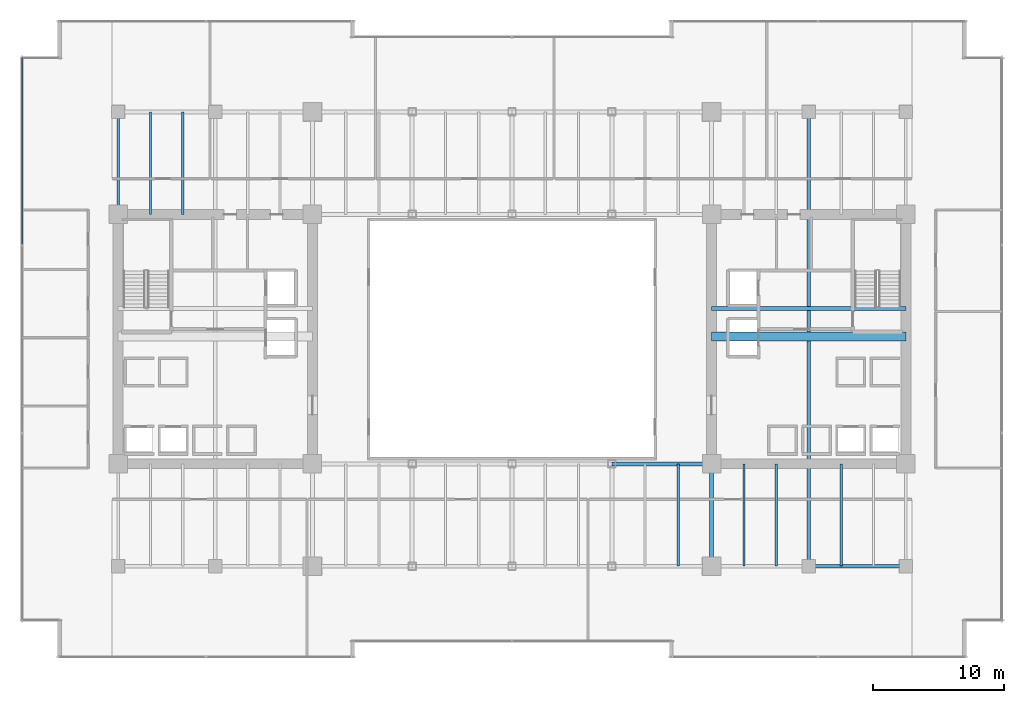
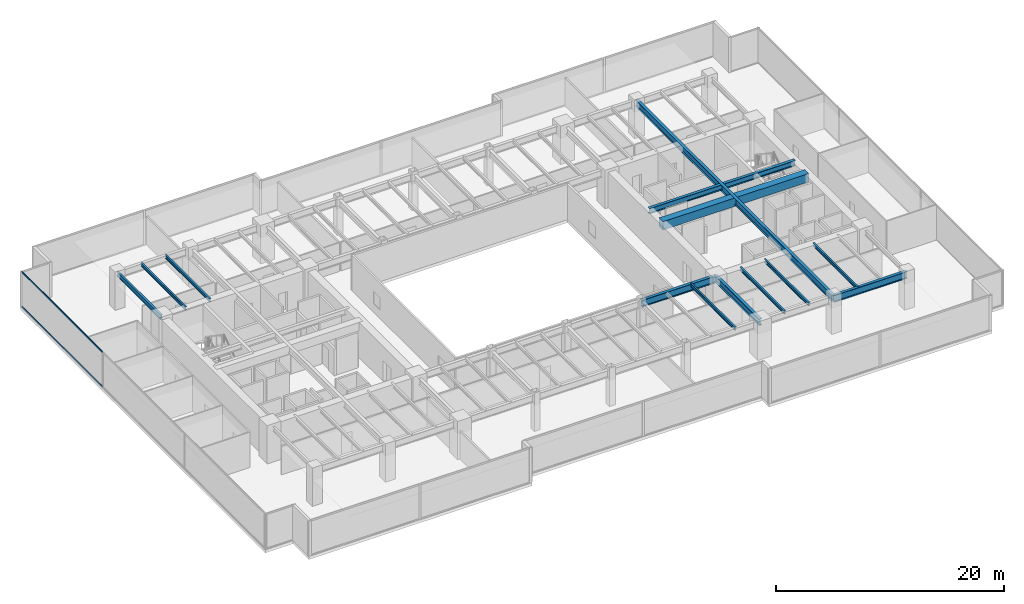
# One storey, part 11 of 36: 13 beams, 2 members, 1 element without a shape of its own.
"""IFC4 building model written with IfcOpenShell, lengths in metres."""

from ifc_helpers import new_model, si_unit, direction, frame, origin, origin_2d, place, context, subcontext, project, spatial, rectangle, hollow_rectangle, i_section, extrude, source, transform, mapped, material, layer, layer_set, material_profile, profile_set, type_object, type_shapes, element, aggregate, save


model = new_model("IFC4")

# Units and contexts
model_context = context("Model", 3, precision=1e-05, world=origin(), true_north=direction((0.0, 1.0)))
body_context = subcontext(model_context, "Body", "Model", "MODEL_VIEW")
ifc_project = project(units=[si_unit("LENGTHUNIT", "METRE"), si_unit("AREAUNIT", "SQUARE_METRE"), si_unit("VOLUMEUNIT", "CUBIC_METRE"), si_unit("PLANEANGLEUNIT", "RADIAN"), si_unit("MASSUNIT", "GRAM", prefix="KILO")], contexts=[model_context])

# Site, building, storey
site_placement = place(None, origin())
site = spatial("IfcSite", under=ifc_project, at=site_placement, CompositionType="ELEMENT")
building_placement = place(site_placement, origin())
building = spatial("IfcBuilding", under=site, at=building_placement, Name="Haelvirn Gate Laboratories", CompositionType="ELEMENT")
storey_placement = place(building_placement, frame((0.0, 0.0, 53.89990234375)))
storey = spatial("IfcBuildingStorey", under=building, at=storey_placement, Name="L13", CompositionType="ELEMENT", Elevation=53.89990234375)

# Beams
ifc_material_1 = material(Name="Concrete C60/75", Category="concrete")
ifc_material_profile_1 = material_profile(ifc_material_1, rectangle(XDim=0.699951171875, YDim=0.89990234375, at=origin_2d()), Name="RCB-700x900")
ifc_profile_set_1 = profile_set([ifc_material_profile_1], Name="Concrete C60/75")
beam_type_1 = type_object("IfcBeamType", Name="BM-RCB-900", PredefinedType="LINTEL", material=ifc_profile_set_1)
shared_shape_1 = source(origin(), body_context, "Body", "SweptSolid", [
    extrude(rectangle(XDim=0.699951171875, YDim=0.89990234375, at=origin_2d()), origin(), (0.0, 0.0, 1.0), 14.7998046875),
])
type_shapes(beam_type_1, [shared_shape_1])
beam_1_placement = place(storey_placement, frame((52.60009765625, 24.5, 3.330078125), z_axis=(1.0, 0.0, 0.0), x_axis=(0.0, 1.0, 0.0)))
element("IfcBeam", 1, at=beam_1_placement, inside=storey, type_object=beam_type_1, Name="L13 East Core Coupling Beam", PredefinedType="LINTEL", context=body_context, shape_type="MappedRepresentation", body=[
    mapped(shared_shape_1, transform((0.0, 0.0, 0.0), scale=1.0)),
])
ifc_material_2 = material(Name="Steel SM355", Category="steel")
ifc_material_profile_2 = material_profile(ifc_material_2, i_section(OverallWidth=0.300048828125, OverallDepth=0.587890625, WebThickness=0.011962890625, FlangeThickness=0.02001953125, at=origin_2d()), Name="H-588x300x12x20")
ifc_profile_set_2 = profile_set([ifc_material_profile_2], Name="Steel SM355")
beam_type_2 = type_object("IfcBeamType", Name="BM-G-588", PredefinedType="BEAM", material=ifc_profile_set_2)
shared_shape_2 = source(origin(), body_context, "Body", "SweptSolid", [
    extrude(i_section(OverallWidth=0.300048828125, OverallDepth=0.587890625, WebThickness=0.011962890625, FlangeThickness=0.02001953125, at=origin_2d()), origin(), (0.0, 0.0, 1.0), 14.7998046875),
])
type_shapes(beam_type_2, [shared_shape_2])
beam_2_placement = place(storey_placement, frame((52.60009765625, 26.6201171875, 3.486083984375), z_axis=(1.0, 0.0, 0.0), x_axis=(0.0, 1.0, 0.0)))
element("IfcBeam", 2, at=beam_2_placement, inside=storey, type_object=beam_type_2, Name="L13 Stair ST2 Landing Header", PredefinedType="BEAM", context=body_context, shape_type="MappedRepresentation", body=[
    mapped(shared_shape_2, transform((0.0, 0.0, 0.0), scale=1.0)),
])
ifc_material_profile_3 = material_profile(ifc_material_2, i_section(OverallWidth=0.300048828125, OverallDepth=0.699951171875, WebThickness=0.012939453125, FlangeThickness=0.02392578125, at=origin_2d()), Name="H-700x300x13x24")
ifc_profile_set_3 = profile_set([ifc_material_profile_3], Name="Steel SM355")
beam_type_3 = type_object("IfcBeamType", Name="BM-G-700", PredefinedType="BEAM", material=ifc_profile_set_3)
shared_shape_3 = source(origin(), body_context, "Body", "SweptSolid", [
    extrude(i_section(OverallWidth=0.300048828125, OverallDepth=0.699951171875, WebThickness=0.012939453125, FlangeThickness=0.02392578125, at=origin_2d()), origin(), (0.0, 0.0, 1.0), 7.800048828125),
])
beam_3_placement = place(storey_placement, frame((52.60009765625, 7.0, 3.43017578125), z_axis=(0.0, 1.0, 0.0), x_axis=(-1.0, 0.0, 0.0)))
element("IfcBeam", 3, at=beam_3_placement, inside=storey, type_object=beam_type_3, Name="L13 Frame Girder X52.6 (7.0-14.8)", PredefinedType="BEAM", context=body_context, shape_type="MappedRepresentation", body=[
    mapped(shared_shape_3, transform((0.0, 0.0, 0.0), scale=1.0)),
])
shared_shape_4 = source(origin(), body_context, "Body", "SweptSolid", [
    extrude(i_section(OverallWidth=0.300048828125, OverallDepth=0.699951171875, WebThickness=0.012939453125, FlangeThickness=0.02392578125, at=origin_2d()), origin(), (0.0, 0.0, 1.0), 34.60009765625),
])
type_shapes(beam_type_3, [shared_shape_3, shared_shape_4])
beam_4_placement = place(storey_placement, frame((60.0, 7.0, 3.43017578125), z_axis=(0.0, 1.0, 0.0), x_axis=(-1.0, 0.0, 0.0)))
element("IfcBeam", 4, at=beam_4_placement, inside=storey, type_object=beam_type_3, Name="L13 Frame Girder X60.0 (7.0-41.6)", PredefinedType="BEAM", context=body_context, shape_type="MappedRepresentation", body=[
    mapped(shared_shape_4, transform((0.0, 0.0, 0.0), scale=1.0)),
])
ifc_material_profile_4 = material_profile(ifc_material_2, i_section(OverallWidth=0.300048828125, OverallDepth=0.75, WebThickness=0.013916015625, FlangeThickness=0.02392578125, at=origin_2d()), Name="H-750x300x14x24")
ifc_profile_set_4 = profile_set([ifc_material_profile_4], Name="Steel SM355")
beam_type_4 = type_object("IfcBeamType", Name="BM-G-750", PredefinedType="BEAM", material=ifc_profile_set_4)
shared_shape_5 = source(origin(), body_context, "Body", "SweptSolid", [
    extrude(i_section(OverallWidth=0.300048828125, OverallDepth=0.75, WebThickness=0.013916015625, FlangeThickness=0.02392578125, at=origin_2d()), origin(), (0.0, 0.0, 1.0), 7.39990234375),
])
beam_5_placement = place(storey_placement, frame((60.0, 7.0, 3.405029296875), z_axis=(1.0, 0.0, 0.0), x_axis=(0.0, 1.0, 0.0)))
element("IfcBeam", 5, at=beam_5_placement, inside=storey, type_object=beam_type_4, Name="L13 Primary Girder Y7.0 (60.0-67.4)", PredefinedType="BEAM", context=body_context, shape_type="MappedRepresentation", body=[
    mapped(shared_shape_5, transform((0.0, 0.0, 0.0), scale=1.0)),
])
shared_shape_6 = source(origin(), body_context, "Body", "SweptSolid", [
    extrude(i_section(OverallWidth=0.300048828125, OverallDepth=0.75, WebThickness=0.013916015625, FlangeThickness=0.02392578125, at=origin_2d()), origin(), (0.0, 0.0, 1.0), 7.60009765625),
])
type_shapes(beam_type_4, [shared_shape_5, shared_shape_6])
beam_6_placement = place(storey_placement, frame((45.0, 14.800048828125, 3.405029296875), z_axis=(1.0, 0.0, 0.0), x_axis=(0.0, 1.0, 0.0)))
element("IfcBeam", 6, at=beam_6_placement, inside=storey, type_object=beam_type_4, Name="L13 Primary Girder Y14.8 (45.0-52.6)", PredefinedType="BEAM", context=body_context, shape_type="MappedRepresentation", body=[
    mapped(shared_shape_6, transform((0.0, 0.0, 0.0), scale=1.0)),
])
ifc_material_profile_5 = material_profile(ifc_material_2, i_section(OverallWidth=0.199951171875, OverallDepth=0.5, WebThickness=0.010009765625, FlangeThickness=0.01611328125, at=origin_2d()), Name="H-500x200x10x16")
ifc_profile_set_5 = profile_set([ifc_material_profile_5], Name="Steel SM355")
beam_type_5 = type_object("IfcBeamType", Name="BM-SP-500", PredefinedType="SPANDREL", material=ifc_profile_set_5)
shared_shape_7 = source(origin(), body_context, "Body", "SweptSolid", [
    extrude(i_section(OverallWidth=0.199951171875, OverallDepth=0.5, WebThickness=0.010009765625, FlangeThickness=0.01611328125, at=origin_2d()), origin(), (0.0, 0.0, 1.0), 7.800048828125),
])
type_shapes(beam_type_5, [shared_shape_7])
beam_7_placement = place(storey_placement, frame((7.39990234375, 33.800048828125, 3.530029296875), z_axis=(0.0, 1.0, 0.0), x_axis=(-1.0, 0.0, 0.0)))
element("IfcBeam", 7, at=beam_7_placement, inside=storey, type_object=beam_type_5, Name="L13 Perimeter Spandrel X7.4 (33.8-41.6)", PredefinedType="SPANDREL", context=body_context, shape_type="MappedRepresentation", body=[
    mapped(shared_shape_7, transform((0.0, 0.0, 0.0), scale=1.0)),
])
ifc_material_profile_6 = material_profile(ifc_material_2, i_section(OverallWidth=0.175048828125, OverallDepth=0.35009765625, WebThickness=0.007080078125, FlangeThickness=0.010986328125, at=origin_2d()), Name="H-350x175x7x11")
ifc_profile_set_6 = profile_set([ifc_material_profile_6], Name="Steel SM355")
beam_type_6 = type_object("IfcBeamType", Name="BM-J-350", PredefinedType="JOIST", material=ifc_profile_set_6)
shared_shape_8 = source(origin(), body_context, "Body", "SweptSolid", [
    extrude(i_section(OverallWidth=0.175048828125, OverallDepth=0.35009765625, WebThickness=0.007080078125, FlangeThickness=0.010986328125, at=origin_2d()), origin(), (0.0, 0.0, 1.0), 7.800048828125),
])
type_shapes(beam_type_6, [shared_shape_8])
for number, where, z_axis, x_axis, name in (
    (8, (9.8701171875, 33.800048828125, 3.60498046875), (0.0, 1.0, 0.0), (-1.0, 0.0, 0.0), "L13 Composite Lab Joist North X9.87"),
    (9, (12.330078125, 33.800048828125, 3.60498046875), (0.0, 1.0, 0.0), (-1.0, 0.0, 0.0), "L13 Composite Lab Joist North X12.33"),
    (10, (50.070068359375, 7.0, 3.60498046875), (0.0, 1.0, 0.0), (-1.0, 0.0, 0.0), "L13 Composite Lab Joist South X50.07"),
    (11, (55.070068359375, 7.0, 3.60498046875), (0.0, 1.0, 0.0), (-1.0, 0.0, 0.0), "L13 Composite Lab Joist South X55.07"),
    (12, (57.530029296875, 7.0, 3.60498046875), (0.0, 1.0, 0.0), (-1.0, 0.0, 0.0), "L13 Composite Lab Joist South X57.53"),
    (13, (62.469970703125, 7.0, 3.60498046875), (0.0, 1.0, 0.0), (-1.0, 0.0, 0.0), "L13 Composite Lab Joist South X62.47"),
):
    element("IfcBeam", number, at=place(storey_placement, frame(where, z_axis=z_axis, x_axis=x_axis)), inside=storey, type_object=beam_type_6, Name=name, PredefinedType="JOIST", context=body_context, shape_type="MappedRepresentation", body=[
        mapped(shared_shape_8, transform((0.0, 0.0, 0.0), scale=1.0)),
    ])

# Curtain wall, members
ifc_material_3 = material(Name="Anodised bronze unitised aluminium & triple low-E glass", Category="aluminium")
ifc_layer = layer(ifc_material_3, 0.18408203125, Name="CW-SYS-2")
ifc_layer_set = layer_set([ifc_layer], Name="Anodised bronze unitised aluminium & triple low-E glass")
curtain_wall_type = type_object("IfcCurtainWallType", Name="CW-SYS-2", PredefinedType="NOTDEFINED", material=ifc_layer_set)
curtain_wall_placement = place(storey_placement, origin())
curtain_wall = element("IfcCurtainWall", 14, at=curtain_wall_placement, inside=storey, type_object=curtain_wall_type, Name="L13 Unitised Curtain Wall CW-L13-P0-E17", PredefinedType="NOTDEFINED")
ifc_material_4 = material(Name="Extruded aluminium 6063-T6 (anodised bronze)", Category="aluminium")
ifc_material_profile_7 = material_profile(ifc_material_4, hollow_rectangle(XDim=0.070068359375, YDim=0.159912109375, WallThickness=0.0048828125, at=origin_2d()), Name="CWT-160x70x5")
ifc_profile_set_7 = profile_set([ifc_material_profile_7], Name="Extruded aluminium 6063-T6 (anodised bronze)")
member_type = type_object("IfcMemberType", Name="CWT-T160", PredefinedType="USERDEFINED", material=ifc_profile_set_7)
shared_shape_9 = source(origin(), body_context, "Body", "SweptSolid", [
    extrude(hollow_rectangle(XDim=0.070068359375, YDim=0.159912109375, WallThickness=0.0048828125, at=origin_2d()), origin(), (0.0, 0.0, 1.0), 14.220947265625),
])
type_shapes(member_type, [shared_shape_9])
member_1_placement = place(storey_placement, frame((0.10009765625, 45.72509765625, 0.03515625), z_axis=(0.0, -1.0, 0.0), x_axis=(1.0, 0.0, 0.0)))
member_1 = element("IfcMember", 15, at=member_1_placement, type_object=member_type, Name="CW2 transom 1.1", ObjectType="TRANSOM", PredefinedType="USERDEFINED", context=body_context, shape_type="MappedRepresentation", body=[
    mapped(shared_shape_9, transform((0.0, 0.0, 0.0), scale=1.0)),
])
member_2_placement = place(storey_placement, frame((0.10009765625, 45.72509765625, 3.7451171875), z_axis=(0.0, -1.0, 0.0), x_axis=(1.0, 0.0, 0.0)))
member_2 = element("IfcMember", 16, at=member_2_placement, type_object=member_type, Name="CW2 transom 1.2", ObjectType="TRANSOM", PredefinedType="USERDEFINED", context=body_context, shape_type="MappedRepresentation", body=[
    mapped(shared_shape_9, transform((0.0, 0.0, 0.0), scale=1.0)),
])
aggregate(curtain_wall, [member_1, member_2])

save(model, "model.ifc")
